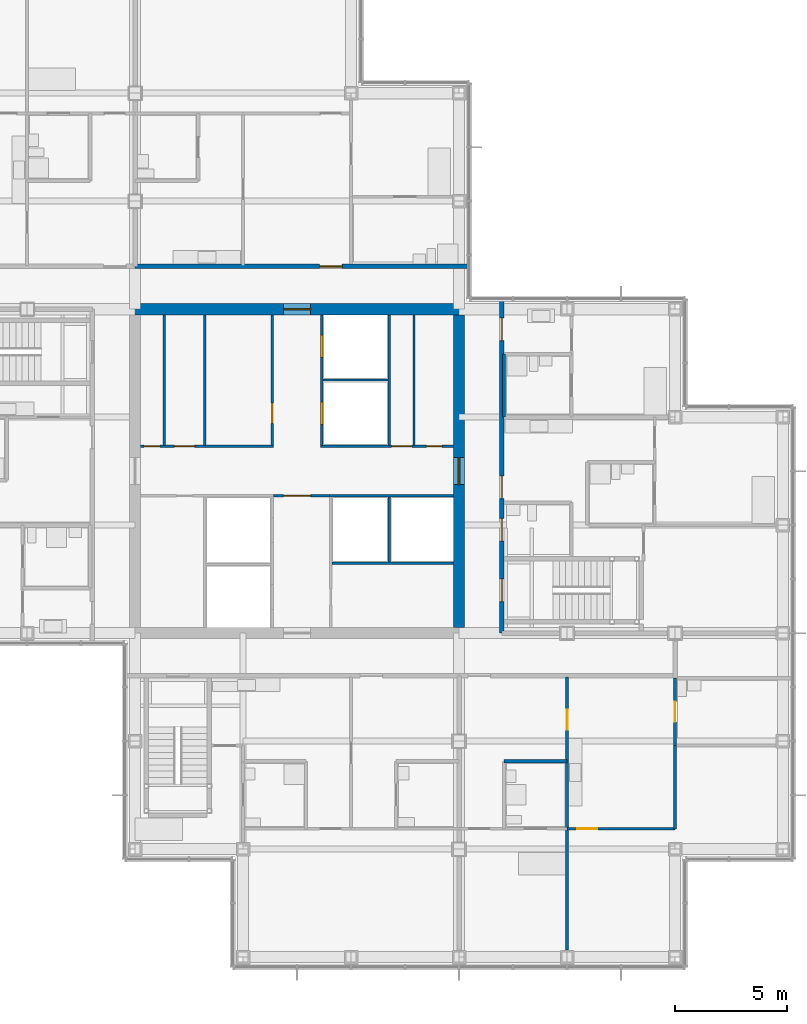
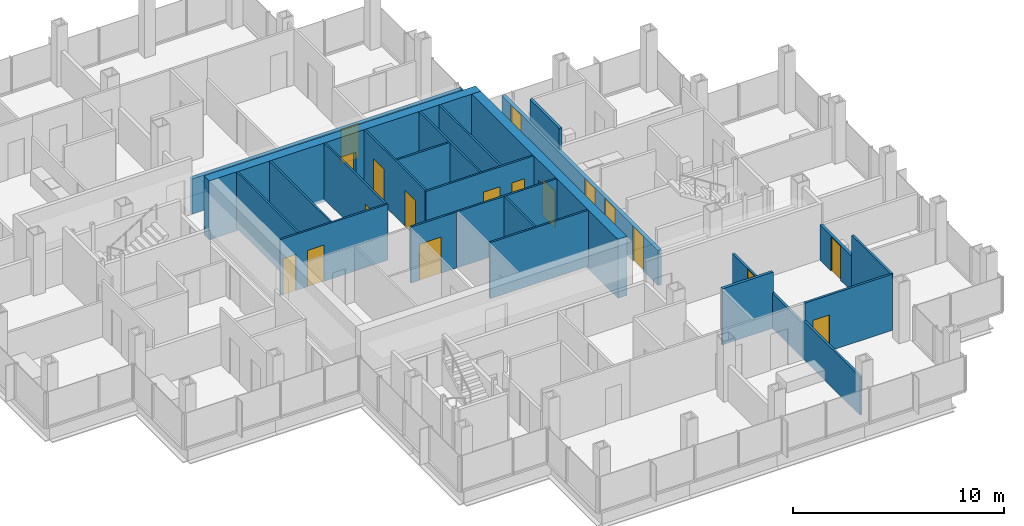
# One storey, part 15 of 20: 24 walls, 18 doors, 18 openings.
"""IFC4 building model written with IfcOpenShell, lengths in metres."""

from ifc_helpers import new_model, si_unit, direction, frame, frame_2d, origin, place, context, subcontext, project, spatial, rectangle, extrude, material, layer, layer_set, type_object, element, fill, save


model = new_model("IFC4")

# Units and contexts
model_context = context("Model", 3, precision=1e-05, world=origin(), true_north=direction((0.0, 1.0)))
body_context = subcontext(model_context, "Body", "Model", "MODEL_VIEW")
ifc_project = project(units=[si_unit("LENGTHUNIT", "METRE"), si_unit("AREAUNIT", "SQUARE_METRE"), si_unit("VOLUMEUNIT", "CUBIC_METRE"), si_unit("PLANEANGLEUNIT", "RADIAN"), si_unit("MASSUNIT", "GRAM", prefix="KILO")], contexts=[model_context])

# Site, building, storey
site_placement = place(None, origin())
site = spatial("IfcSite", under=ifc_project, at=site_placement, CompositionType="ELEMENT")
building_placement = place(site_placement, origin())
building = spatial("IfcBuilding", under=site, at=building_placement, Name="Kvirike Care Tower", CompositionType="ELEMENT")
storey_placement = place(building_placement, frame((0.0, 0.0, 133.0)))
storey = spatial("IfcBuildingStorey", under=building, at=storey_placement, Name="L36", CompositionType="ELEMENT", Elevation=133.0)

# Wall
ifc_material_1 = material(Name="Moisture-resistant board partition", Category="gypsum")
ifc_layer_1 = layer(ifc_material_1, 0.14990234375)
ifc_layer_set_1 = layer_set([ifc_layer_1], Name="BATHROOM WALL 150")
wall_type_1 = type_object("IfcWallType", Name="BATHROOM WALL 150", PredefinedType="PARTITIONING", material=ifc_layer_set_1)
wall_1_placement = place(storey_placement, frame((30.800048828125, 23.10009765625, 0.0), z_axis=(0.0, 0.0, 1.0), x_axis=(1.0, 0.0, 0.0)))
element("IfcWall", 1, at=wall_1_placement, inside=storey, type_object=wall_type_1, Name="Bathroom Wall 150 L36", PredefinedType="PARTITIONING", context=body_context, shape_type="SweptSolid", body=[
    extrude(rectangle(XDim=2.800048828125, YDim=0.14990234375, at=frame_2d((1.39990234375, 0.0))), origin(), (0.0, 0.0, 1.0), 3.25),
])

# Wall, opening, door
wall_2_placement = place(storey_placement, frame((38.39990234375, 23.800048828125, 0.0), z_axis=(0.0, 0.0, 1.0), x_axis=(0.0, 1.0, 0.0)))
wall_2 = element("IfcWall", 2, at=wall_2_placement, inside=storey, type_object=wall_type_1, Name="Bathroom Wall 150 L36", PredefinedType="PARTITIONING", context=body_context, shape_type="SweptSolid", body=[
    extrude(rectangle(XDim=3.0, YDim=0.14990234375, at=frame_2d((1.5, 0.0))), origin(), (0.0, 0.0, 1.0), 2.0400390625),
])
opening_1_placement = place(wall_2_placement, frame((1.050048828125, 0.0, 0.0)))
opening_1 = element("IfcOpeningElement", 3, at=opening_1_placement, cuts=wall_2, Name="Opening 36-029", PredefinedType="OPENING", context=body_context, shape_type="SweptSolid", body=[
    extrude(rectangle(XDim=0.89990234375, YDim=2.0, at=frame_2d((0.449951171875, 1.0))), frame((0.0, 0.08544921875, 0.0), z_axis=(0.0, -1.0, 0.0), x_axis=(1.0, 0.0, 0.0)), (0.0, 0.0, 1.0), 0.1708984375),
])
ifc_material_2 = material(Name="Timber door set", Category="wood")
door_type_1 = type_object("IfcDoorType", Name="BATHROOM DOOR 900 x 2000", OperationType="SINGLE_SWING_RIGHT", PredefinedType="DOOR", material=ifc_material_2)
door_1_placement = place(opening_1_placement, frame((0.89990234375, 0.0, 0.0), z_axis=(0.0, 0.0, 1.0), x_axis=(-1.0, 0.0, 0.0)))
door_1 = element("IfcDoor", 4, at=door_1_placement, inside=storey, type_object=door_type_1, Name="Accessible WC door", OperationType="SINGLE_SWING_LEFT", OverallHeight=2.0, OverallWidth=0.89990234375, PredefinedType="DOOR", context=body_context, shape_type="SweptSolid", body=[
    extrude(rectangle(XDim=0.89990234375, YDim=2.0, at=frame_2d((0.449951171875, 1.0))), frame((0.0, 0.02197265625, 0.0), z_axis=(0.0, -1.0, 0.0), x_axis=(1.0, 0.0, 0.0)), (0.0, 0.0, 1.0), 0.0439453125),
])
fill(opening_1, door_1)

# Wall
wall_3_placement = place(storey_placement, frame((30.800048828125, 38.39990234375, 0.0), z_axis=(0.0, 0.0, 1.0), x_axis=(0.0, 1.0, 0.0)))
element("IfcWall", 5, at=wall_3_placement, inside=storey, type_object=wall_type_1, Name="Bathroom Wall 150 L36", PredefinedType="PARTITIONING", context=body_context, shape_type="SweptSolid", body=[
    extrude(rectangle(XDim=2.800048828125, YDim=0.14990234375, at=frame_2d((1.39990234375, 0.0))), origin(), (0.0, 0.0, 1.0), 3.25),
])

# Wall, opening, door
ifc_material_3 = material(Name="Concrete C50/60", Category="concrete")
ifc_layer_2 = layer(ifc_material_3, 0.5)
ifc_layer_set_2 = layer_set([ifc_layer_2], Name="CORE WALL 500 C50-60")
wall_type_2 = type_object("IfcWallType", Name="CORE WALL 500 C50-60", PredefinedType="SHEAR", material=ifc_layer_set_2)
wall_4_placement = place(storey_placement, frame((29.050048828125, 43.199951171875, -0.169921875), z_axis=(0.0, 0.0, 1.0), x_axis=(-1.0, 0.0, 0.0)))
wall_4 = element("IfcWall", 6, at=wall_4_placement, inside=storey, type_object=wall_type_2, Name="Core wall N L36", PredefinedType="SHEAR", context=body_context, shape_type="SweptSolid", body=[
    extrude(rectangle(XDim=14.900146484375, YDim=0.5, at=frame_2d((7.4501953125, 0.0))), origin(), (0.0, 0.0, 1.0), 3.419921875),
])
opening_2_placement = place(wall_4_placement, frame((6.85009765625, 0.0, 0.169921875)))
opening_2 = element("IfcOpeningElement", 7, at=opening_2_placement, cuts=wall_4, Name="Opening 36-059", PredefinedType="OPENING", context=body_context, shape_type="SweptSolid", body=[
    extrude(rectangle(XDim=1.199951171875, YDim=2.10009765625, at=frame_2d((0.60009765625, 1.050048828125))), frame((0.0, 0.260498046875, 0.0), z_axis=(0.0, -1.0, 0.0), x_axis=(1.0, 0.0, 0.0)), (0.0, 0.0, 1.0), 0.52099609375),
])
ifc_material_4 = material(Name="Timber door set", Category="wood")
door_type_2 = type_object("IfcDoorType", Name="CORE DOOR 1200", OperationType="SINGLE_SWING_LEFT", PredefinedType="DOOR", material=ifc_material_4)
door_2_placement = place(opening_2_placement, origin())
door_2 = element("IfcDoor", 8, at=door_2_placement, inside=storey, type_object=door_type_2, Name="Core door N L36", OperationType="SINGLE_SWING_LEFT", OverallHeight=2.10009765625, OverallWidth=1.199951171875, PredefinedType="DOOR", context=body_context, shape_type="SweptSolid", body=[
    extrude(rectangle(XDim=1.199951171875, YDim=2.10009765625, at=frame_2d((0.60009765625, 1.050048828125))), frame((0.0, 0.02685546875, 0.0), z_axis=(0.0, -1.0, 0.0), x_axis=(1.0, 0.0, 0.0)), (0.0, 0.0, 1.0), 0.053955078125),
])
fill(opening_2, door_2)

wall_5_placement = place(storey_placement, frame((28.800048828125, 29.050048828125, -0.169921875), z_axis=(0.0, 0.0, 1.0), x_axis=(0.0, 1.0, 0.0)))
wall_5 = element("IfcWall", 9, at=wall_5_placement, inside=storey, type_object=wall_type_2, Name="Core wall E L36", PredefinedType="SHEAR", context=body_context, shape_type="SweptSolid", body=[
    extrude(rectangle(XDim=13.89990234375, YDim=0.5, at=frame_2d((6.949951171875, 0.0))), origin(), (0.0, 0.0, 1.0), 3.419921875),
])
opening_3_placement = place(wall_5_placement, frame((6.35009765625, 0.0, 0.169921875)))
opening_3 = element("IfcOpeningElement", 10, at=opening_3_placement, cuts=wall_5, Name="Opening 36-058", PredefinedType="OPENING", context=body_context, shape_type="SweptSolid", body=[
    extrude(rectangle(XDim=1.199951171875, YDim=2.10009765625, at=frame_2d((0.60009765625, 1.050048828125))), frame((0.0, 0.260498046875, 0.0), z_axis=(0.0, -1.0, 0.0), x_axis=(1.0, 0.0, 0.0)), (0.0, 0.0, 1.0), 0.52099609375),
])
door_3_placement = place(opening_3_placement, origin())
door_3 = element("IfcDoor", 11, at=door_3_placement, inside=storey, type_object=door_type_2, Name="Core door E L36", OperationType="SINGLE_SWING_LEFT", OverallHeight=2.10009765625, OverallWidth=1.199951171875, PredefinedType="DOOR", context=body_context, shape_type="SweptSolid", body=[
    extrude(rectangle(XDim=1.199951171875, YDim=2.10009765625, at=frame_2d((0.60009765625, 1.050048828125))), frame((0.0, 0.02685546875, 0.0), z_axis=(0.0, -1.0, 0.0), x_axis=(1.0, 0.0, 0.0)), (0.0, 0.0, 1.0), 0.053955078125),
])
fill(opening_3, door_3)

ifc_material_5 = material(Name="Plasterboard corridor wall", Category="gypsum")
ifc_layer_3 = layer(ifc_material_5, 0.199951171875)
ifc_layer_set_3 = layer_set([ifc_layer_3], Name="CORRIDOR WALL 200")
wall_type_3 = type_object("IfcWallType", Name="CORRIDOR WALL 200", PredefinedType="PARTITIONING", material=ifc_layer_set_3)
wall_6_placement = place(storey_placement, frame((29.239990234375, 45.10009765625, 0.0), z_axis=(0.0, 0.0, 1.0), x_axis=(-1.0, 0.0, 0.0)))
wall_6 = element("IfcWall", 12, at=wall_6_placement, inside=storey, type_object=wall_type_3, Name="Corridor Wall 200 L36", PredefinedType="PARTITIONING", context=body_context, shape_type="SweptSolid", body=[
    extrude(rectangle(XDim=14.840087890625, YDim=0.199951171875, at=frame_2d((7.419921875, 0.0))), origin(), (0.0, 0.0, 1.0), 2.0400390625),
])
opening_4_placement = place(wall_6_placement, frame((5.639892578125, 0.0, 0.0)))
opening_4 = element("IfcOpeningElement", 13, at=opening_4_placement, cuts=wall_6, Name="Opening 36-028", PredefinedType="OPENING", context=body_context, shape_type="SweptSolid", body=[
    extrude(rectangle(XDim=1.0, YDim=2.0, at=frame_2d((0.5, 1.0))), frame((0.0, 0.110595703125, 0.0), z_axis=(0.0, -1.0, 0.0), x_axis=(1.0, 0.0, 0.0)), (0.0, 0.0, 1.0), 0.220947265625),
])
ifc_material_6 = material(Name="Timber door set", Category="wood")
door_type_3 = type_object("IfcDoorType", Name="FLAT ENTRANCE DOOR 1000 x 2000", OperationType="SINGLE_SWING_LEFT", PredefinedType="DOOR", material=ifc_material_6)
door_4_placement = place(opening_4_placement, frame((1.0, 0.0, 0.0), z_axis=(0.0, 0.0, 1.0), x_axis=(-1.0, 0.0, 0.0)))
door_4 = element("IfcDoor", 14, at=door_4_placement, inside=storey, type_object=door_type_3, Name="Assisted living suite for couples entrance", OperationType="SINGLE_SWING_LEFT", OverallHeight=2.0, OverallWidth=1.0, PredefinedType="DOOR", context=body_context, shape_type="SweptSolid", body=[
    extrude(rectangle(XDim=1.0, YDim=2.0, at=frame_2d((0.5, 1.0))), frame((0.0, 0.02685546875, 0.0), z_axis=(0.0, -1.0, 0.0), x_axis=(1.0, 0.0, 0.0)), (0.0, 0.0, 1.0), 0.053955078125),
])
fill(opening_4, door_4)

# Wall, openings, doors
wall_7_placement = place(storey_placement, frame((30.699951171875, 28.800048828125, 0.0), z_axis=(0.0, 0.0, 1.0), x_axis=(0.0, 1.0, 0.0)))
wall_7 = element("IfcWall", 15, at=wall_7_placement, inside=storey, type_object=wall_type_3, Name="Corridor Wall 200 L36", PredefinedType="PARTITIONING", context=body_context, shape_type="SweptSolid", body=[
    extrude(rectangle(XDim=14.83984375, YDim=0.199951171875, at=frame_2d((7.419921875, 0.0))), origin(), (0.0, 0.0, 1.0), 2.0400390625),
])
opening_5_placement = place(wall_7_placement, frame((1.39990234375, 0.0, 0.0)))
opening_5 = element("IfcOpeningElement", 16, at=opening_5_placement, cuts=wall_7, Name="Opening 36-040", PredefinedType="OPENING", context=body_context, shape_type="SweptSolid", body=[
    extrude(rectangle(XDim=1.0, YDim=2.0, at=frame_2d((0.5, 1.0))), frame((0.0, 0.110595703125, 0.0), z_axis=(0.0, -1.0, 0.0), x_axis=(1.0, 0.0, 0.0)), (0.0, 0.0, 1.0), 0.220947265625),
])
opening_6_placement = place(wall_7_placement, frame((4.10009765625, 0.0, 0.0)))
opening_6 = element("IfcOpeningElement", 17, at=opening_6_placement, cuts=wall_7, Name="Opening 36-041", PredefinedType="OPENING", context=body_context, shape_type="SweptSolid", body=[
    extrude(rectangle(XDim=1.0, YDim=2.0, at=frame_2d((0.5, 1.0))), frame((0.0, 0.110595703125, 0.0), z_axis=(0.0, -1.0, 0.0), x_axis=(1.0, 0.0, 0.0)), (0.0, 0.0, 1.0), 0.220947265625),
])
opening_7_placement = place(wall_7_placement, frame((5.97509765625, 0.0, 0.0)))
opening_7 = element("IfcOpeningElement", 18, at=opening_7_placement, cuts=wall_7, Name="Opening 36-042", PredefinedType="OPENING", context=body_context, shape_type="SweptSolid", body=[
    extrude(rectangle(XDim=1.0, YDim=2.0, at=frame_2d((0.5, 1.0))), frame((0.0, 0.110595703125, 0.0), z_axis=(0.0, -1.0, 0.0), x_axis=(1.0, 0.0, 0.0)), (0.0, 0.0, 1.0), 0.220947265625),
])
opening_8_placement = place(wall_7_placement, frame((13.0, 0.0, 0.0)))
opening_8 = element("IfcOpeningElement", 19, at=opening_8_placement, cuts=wall_7, Name="Opening 36-043", PredefinedType="OPENING", context=body_context, shape_type="SweptSolid", body=[
    extrude(rectangle(XDim=1.0, YDim=2.0, at=frame_2d((0.5, 1.0))), frame((0.0, 0.110595703125, 0.0), z_axis=(0.0, -1.0, 0.0), x_axis=(1.0, 0.0, 0.0)), (0.0, 0.0, 1.0), 0.220947265625),
])
door_5_placement = place(opening_7_placement, frame((1.0, 0.0, 0.0), z_axis=(0.0, 0.0, 1.0), x_axis=(-1.0, 0.0, 0.0)))
door_5 = element("IfcDoor", 20, at=door_5_placement, inside=storey, type_object=door_type_3, Name="Assisted living suite entrance", OperationType="SINGLE_SWING_LEFT", OverallHeight=2.0, OverallWidth=1.0, PredefinedType="DOOR", context=body_context, shape_type="SweptSolid", body=[
    extrude(rectangle(XDim=1.0, YDim=2.0, at=frame_2d((0.5, 1.0))), frame((0.0, 0.02685546875, 0.0), z_axis=(0.0, -1.0, 0.0), x_axis=(1.0, 0.0, 0.0)), (0.0, 0.0, 1.0), 0.053955078125),
])
fill(opening_7, door_5)
door_6_placement = place(opening_8_placement, frame((1.0, 0.0, 0.0), z_axis=(0.0, 0.0, 1.0), x_axis=(-1.0, 0.0, 0.0)))
door_6 = element("IfcDoor", 21, at=door_6_placement, inside=storey, type_object=door_type_3, Name="Assisted living suite entrance", OperationType="SINGLE_SWING_RIGHT", OverallHeight=2.0, OverallWidth=1.0, PredefinedType="DOOR", context=body_context, shape_type="SweptSolid", body=[
    extrude(rectangle(XDim=1.0, YDim=2.0, at=frame_2d((0.5, 1.0))), frame((0.0, 0.02685546875, 0.0), z_axis=(0.0, -1.0, 0.0), x_axis=(1.0, 0.0, 0.0)), (0.0, 0.0, 1.0), 0.053955078125),
])
fill(opening_8, door_6)
ifc_material_7 = material(Name="Timber door set", Category="wood")
door_type_4 = type_object("IfcDoorType", Name="STAIR DOOR 1000 x 2000", OperationType="SINGLE_SWING_LEFT", PredefinedType="DOOR", material=ifc_material_7)
door_7_placement = place(opening_5_placement, frame((1.0, 0.0, 0.0), z_axis=(0.0, 0.0, 1.0), x_axis=(-1.0, 0.0, 0.0)))
door_7 = element("IfcDoor", 22, at=door_7_placement, inside=storey, type_object=door_type_4, Name="Stair 2 door", OperationType="SINGLE_SWING_RIGHT", OverallHeight=2.0, OverallWidth=1.0, PredefinedType="DOOR", context=body_context, shape_type="SweptSolid", body=[
    extrude(rectangle(XDim=1.0, YDim=2.0, at=frame_2d((0.5, 1.0))), frame((0.0, 0.031982421875, 0.0), z_axis=(0.0, -1.0, 0.0), x_axis=(1.0, 0.0, 0.0)), (0.0, 0.0, 1.0), 0.06396484375),
])
fill(opening_5, door_7)
ifc_material_8 = material(Name="Timber door set", Category="wood")
door_type_5 = type_object("IfcDoorType", Name="WC DOOR 1000 x 2000", OperationType="SINGLE_SWING_LEFT", PredefinedType="DOOR", material=ifc_material_8)
door_8_placement = place(opening_6_placement, frame((1.0, 0.0, 0.0), z_axis=(0.0, 0.0, 1.0), x_axis=(-1.0, 0.0, 0.0)))
door_8 = element("IfcDoor", 23, at=door_8_placement, inside=storey, type_object=door_type_5, Name="Accessible WC door", OperationType="SINGLE_SWING_LEFT", OverallHeight=2.0, OverallWidth=1.0, PredefinedType="DOOR", context=body_context, shape_type="SweptSolid", body=[
    extrude(rectangle(XDim=1.0, YDim=2.0, at=frame_2d((0.5, 1.0))), frame((0.0, 0.02685546875, 0.0), z_axis=(0.0, -1.0, 0.0), x_axis=(1.0, 0.0, 0.0)), (0.0, 0.0, 1.0), 0.053955078125),
])
fill(opening_6, door_8)

# Wall, opening, door
ifc_material_9 = material(Name="Plasterboard partition", Category="gypsum")
ifc_layer_4 = layer(ifc_material_9, 0.1201171875)
ifc_layer_set_4 = layer_set([ifc_layer_4], Name="PARTITION 120")
wall_type_4 = type_object("IfcWallType", Name="PARTITION 120", PredefinedType="PARTITIONING", material=ifc_layer_set_4)
wall_8_placement = place(storey_placement, frame((33.60009765625, 20.10009765625, 0.0), z_axis=(0.0, 0.0, 1.0), x_axis=(0.0, 1.0, 0.0)))
wall_8 = element("IfcWall", 24, at=wall_8_placement, inside=storey, type_object=wall_type_4, Name="Partition 120 L36", PredefinedType="PARTITIONING", context=body_context, shape_type="SweptSolid", body=[
    extrude(rectangle(XDim=6.75, YDim=0.1201171875, at=frame_2d((3.375, 0.0))), origin(), (0.0, 0.0, 1.0), 2.0400390625),
])
opening_9_placement = place(wall_8_placement, frame((4.39990234375, 0.0, 0.0)))
opening_9 = element("IfcOpeningElement", 25, at=opening_9_placement, cuts=wall_8, Name="Opening 36-030", PredefinedType="OPENING", context=body_context, shape_type="SweptSolid", body=[
    extrude(rectangle(XDim=0.89990234375, YDim=2.0, at=frame_2d((0.449951171875, 1.0))), frame((0.0, 0.070556640625, 0.0), z_axis=(0.0, -1.0, 0.0), x_axis=(1.0, 0.0, 0.0)), (0.0, 0.0, 1.0), 0.14111328125),
])
ifc_material_10 = material(Name="Timber door set", Category="wood")
door_type_6 = type_object("IfcDoorType", Name="INTERNAL DOOR 900 x 2000", OperationType="SINGLE_SWING_LEFT", PredefinedType="DOOR", material=ifc_material_10)
door_9_placement = place(opening_9_placement, origin())
door_9 = element("IfcDoor", 26, at=door_9_placement, inside=storey, type_object=door_type_6, Name="Hall door", OperationType="SINGLE_SWING_RIGHT", OverallHeight=2.0, OverallWidth=0.89990234375, PredefinedType="DOOR", context=body_context, shape_type="SweptSolid", body=[
    extrude(rectangle(XDim=0.89990234375, YDim=2.0, at=frame_2d((0.449951171875, 1.0))), frame((0.0, 0.02197265625, 0.0), z_axis=(0.0, -1.0, 0.0), x_axis=(1.0, 0.0, 0.0)), (0.0, 0.0, 1.0), 0.0439453125),
])
fill(opening_9, door_9)

wall_9_placement = place(storey_placement, frame((33.60009765625, 20.10009765625, 0.0), z_axis=(0.0, 0.0, 1.0), x_axis=(1.0, 0.0, 0.0)))
wall_9 = element("IfcWall", 27, at=wall_9_placement, inside=storey, type_object=wall_type_4, Name="Partition 120 L36", PredefinedType="PARTITIONING", context=body_context, shape_type="SweptSolid", body=[
    extrude(rectangle(XDim=4.7998046875, YDim=0.1201171875, at=frame_2d((2.39990234375, 0.0))), origin(), (0.0, 0.0, 1.0), 3.25),
])
opening_10_placement = place(wall_9_placement, frame((0.449951171875, 0.0, 0.0)))
opening_10 = element("IfcOpeningElement", 28, at=opening_10_placement, cuts=wall_9, Name="Opening 36-033", PredefinedType="OPENING", context=body_context, shape_type="SweptSolid", body=[
    extrude(rectangle(XDim=0.89990234375, YDim=2.10009765625, at=frame_2d((0.449951171875, 1.050048828125))), frame((0.0, 0.070556640625, 0.0), z_axis=(0.0, -1.0, 0.0), x_axis=(1.0, 0.0, 0.0)), (0.0, 0.0, 1.0), 0.14111328125),
])
ifc_material_11 = material(Name="Timber door set", Category="wood")
door_type_7 = type_object("IfcDoorType", Name="INTERNAL DOOR 900", OperationType="SINGLE_SWING_LEFT", PredefinedType="DOOR", material=ifc_material_11)
door_10_placement = place(opening_10_placement, origin())
door_10 = element("IfcDoor", 29, at=door_10_placement, inside=storey, type_object=door_type_7, Name="Suite sitting room door", OperationType="SINGLE_SWING_RIGHT", OverallHeight=2.10009765625, OverallWidth=0.89990234375, PredefinedType="DOOR", context=body_context, shape_type="SweptSolid", body=[
    extrude(rectangle(XDim=0.89990234375, YDim=2.10009765625, at=frame_2d((0.449951171875, 1.050048828125))), frame((0.0, 0.02197265625, 0.0), z_axis=(0.0, -1.0, 0.0), x_axis=(1.0, 0.0, 0.0)), (0.0, 0.0, 1.0), 0.0439453125),
])
fill(opening_10, door_10)

# Walls
wall_10_placement = place(storey_placement, frame((33.60009765625, 14.719970703125, 0.0), z_axis=(0.0, 0.0, 1.0), x_axis=(0.0, 1.0, 0.0)))
element("IfcWall", 30, at=wall_10_placement, inside=storey, type_object=wall_type_4, Name="Partition 120 L36", PredefinedType="PARTITIONING", context=body_context, shape_type="SweptSolid", body=[
    extrude(rectangle(XDim=5.380126953125, YDim=0.1201171875, at=frame_2d((2.68994140625, 0.0))), origin(), (0.0, 0.0, 1.0), 2.239990234375),
])
wall_11_placement = place(storey_placement, frame((38.39990234375, 20.10009765625, 0.0), z_axis=(0.0, 0.0, 1.0), x_axis=(0.0, 1.0, 0.0)))
element("IfcWall", 31, at=wall_11_placement, inside=storey, type_object=wall_type_4, Name="Partition 120 L36", PredefinedType="PARTITIONING", context=body_context, shape_type="SweptSolid", body=[
    extrude(rectangle(XDim=3.699951171875, YDim=0.1201171875, at=frame_2d((1.85009765625, 0.0))), origin(), (0.0, 0.0, 1.0), 3.25),
])
ifc_material_12 = material(Name="Gypsum shaft wall system", Category="gypsum")
ifc_layer_5 = layer(ifc_material_12, 0.10009765625)
ifc_layer_set_5 = layer_set([ifc_layer_5], Name="SHAFT WALL 100")
wall_type_5 = type_object("IfcWallType", Name="SHAFT WALL 100", PredefinedType="SOLIDWALL", material=ifc_layer_set_5)
for number, where, z_axis, x_axis, name in (
    (32, (15.699951171875, 37.14990234375, 0.0), (0.0, 0.0, 1.0), (0.0, 1.0, 0.0), "Shaft Wall 100 L36"),
    (33, (26.800048828125, 37.14990234375, 0.0), (0.0, 0.0, 1.0), (0.0, 1.0, 0.0), "Shaft Wall 100 L36"),
):
    element("IfcWall", number, at=place(storey_placement, frame(where, z_axis=z_axis, x_axis=x_axis)), inside=storey, type_object=wall_type_5, Name=name, PredefinedType="SOLIDWALL", context=body_context, shape_type="SweptSolid", body=[
        extrude(rectangle(XDim=5.800048828125, YDim=0.10009765625, at=frame_2d((2.89990234375, 0.0))), origin(), (0.0, 0.0, 1.0), 3.25),
    ])

# Wall, opening, door
wall_12_placement = place(storey_placement, frame((20.5, 37.14990234375, 0.0), z_axis=(0.0, 0.0, 1.0), x_axis=(0.0, 1.0, 0.0)))
wall_12 = element("IfcWall", 34, at=wall_12_placement, inside=storey, type_object=wall_type_5, Name="Shaft Wall 100 L36", PredefinedType="SOLIDWALL", context=body_context, shape_type="SweptSolid", body=[
    extrude(rectangle(XDim=5.800048828125, YDim=0.10009765625, at=frame_2d((2.89990234375, 0.0))), origin(), (0.0, 0.0, 1.0), 3.25),
])
opening_11_placement = place(wall_12_placement, frame((0.97509765625, 0.0, 0.0)))
opening_11 = element("IfcOpeningElement", 35, at=opening_11_placement, cuts=wall_12, Name="Opening 36-046", PredefinedType="OPENING", context=body_context, shape_type="SweptSolid", body=[
    extrude(rectangle(XDim=0.89990234375, YDim=2.10009765625, at=frame_2d((0.449951171875, 1.050048828125))), frame((0.0, 0.060546875, 0.0), z_axis=(0.0, -1.0, 0.0), x_axis=(1.0, 0.0, 0.0)), (0.0, 0.0, 1.0), 0.12109375),
])
ifc_material_13 = material(Name="Timber door set", Category="wood")
door_type_8 = type_object("IfcDoorType", Name="STORE DOOR 900", OperationType="SINGLE_SWING_LEFT", PredefinedType="DOOR", material=ifc_material_13)
door_11_placement = place(opening_11_placement, origin())
door_11 = element("IfcDoor", 36, at=door_11_placement, inside=storey, type_object=door_type_8, Name="Staff room door", OperationType="SINGLE_SWING_RIGHT", OverallHeight=2.10009765625, OverallWidth=0.89990234375, PredefinedType="DOOR", context=body_context, shape_type="SweptSolid", body=[
    extrude(rectangle(XDim=0.89990234375, YDim=2.10009765625, at=frame_2d((0.449951171875, 1.050048828125))), frame((0.0, 0.02685546875, 0.0), z_axis=(0.0, -1.0, 0.0), x_axis=(1.0, 0.0, 0.0)), (0.0, 0.0, 1.0), 0.053955078125),
])
fill(opening_11, door_11)

# Wall, openings, doors
wall_13_placement = place(storey_placement, frame((22.699951171875, 37.14990234375, 0.0), z_axis=(0.0, 0.0, 1.0), x_axis=(0.0, 1.0, 0.0)))
wall_13 = element("IfcWall", 37, at=wall_13_placement, inside=storey, type_object=wall_type_5, Name="Shaft Wall 100 L36", PredefinedType="SOLIDWALL", context=body_context, shape_type="SweptSolid", body=[
    extrude(rectangle(XDim=5.800048828125, YDim=0.10009765625, at=frame_2d((2.89990234375, 0.0))), origin(), (0.0, 0.0, 1.0), 3.25),
])
opening_12_placement = place(wall_13_placement, frame((0.925048828125, 0.0, 0.0)))
opening_12 = element("IfcOpeningElement", 38, at=opening_12_placement, cuts=wall_13, Name="Opening 36-047", PredefinedType="OPENING", context=body_context, shape_type="SweptSolid", body=[
    extrude(rectangle(XDim=1.0, YDim=2.10009765625, at=frame_2d((0.5, 1.050048828125))), frame((0.0, 0.060546875, 0.0), z_axis=(0.0, -1.0, 0.0), x_axis=(1.0, 0.0, 0.0)), (0.0, 0.0, 1.0), 0.12109375),
])
opening_13_placement = place(wall_13_placement, frame((3.89990234375, 0.0, 0.0)))
opening_13 = element("IfcOpeningElement", 39, at=opening_13_placement, cuts=wall_13, Name="Opening 36-048", PredefinedType="OPENING", context=body_context, shape_type="SweptSolid", body=[
    extrude(rectangle(XDim=1.0, YDim=2.10009765625, at=frame_2d((0.5, 1.050048828125))), frame((0.0, 0.060546875, 0.0), z_axis=(0.0, -1.0, 0.0), x_axis=(1.0, 0.0, 0.0)), (0.0, 0.0, 1.0), 0.12109375),
])
ifc_material_14 = material(Name="Aluminium door frame", Category="aluminium")
door_type_9 = type_object("IfcDoorType", Name="LIFT LANDING DOOR 1000", OperationType="SLIDING_TO_LEFT", PredefinedType="DOOR", material=ifc_material_14)
door_12_placement = place(opening_12_placement, origin())
door_12 = element("IfcDoor", 40, at=door_12_placement, inside=storey, type_object=door_type_9, Name="Lift P3 landing door", OperationType="SLIDING_TO_LEFT", OverallHeight=2.10009765625, OverallWidth=1.0, PredefinedType="DOOR", context=body_context, shape_type="SweptSolid", body=[
    extrude(rectangle(XDim=1.0, YDim=2.10009765625, at=frame_2d((0.5, 1.050048828125))), frame((0.0, 0.0498046875, 0.0), z_axis=(0.0, -1.0, 0.0), x_axis=(1.0, 0.0, 0.0)), (0.0, 0.0, 1.0), 0.099609375),
])
fill(opening_12, door_12)
door_13_placement = place(opening_13_placement, origin())
door_13 = element("IfcDoor", 41, at=door_13_placement, inside=storey, type_object=door_type_9, Name="Lift P4 landing door", OperationType="SLIDING_TO_LEFT", OverallHeight=2.10009765625, OverallWidth=1.0, PredefinedType="DOOR", context=body_context, shape_type="SweptSolid", body=[
    extrude(rectangle(XDim=1.0, YDim=2.10009765625, at=frame_2d((0.5, 1.050048828125))), frame((0.0, 0.0498046875, 0.0), z_axis=(0.0, -1.0, 0.0), x_axis=(1.0, 0.0, 0.0)), (0.0, 0.0, 1.0), 0.099609375),
])
fill(opening_13, door_13)

# Wall
wall_14_placement = place(storey_placement, frame((23.050048828125, 34.89990234375, 0.0), z_axis=(0.0, 0.0, 1.0), x_axis=(1.0, 0.0, 0.0)))
element("IfcWall", 42, at=wall_14_placement, inside=storey, type_object=wall_type_5, Name="Shaft Wall 100 L36", PredefinedType="SOLIDWALL", context=body_context, shape_type="SweptSolid", body=[
    extrude(rectangle(XDim=5.5, YDim=0.10009765625, at=frame_2d((2.75, 0.0))), origin(), (0.0, 0.0, 1.0), 3.25),
])

# Wall, openings, doors
wall_15_placement = place(storey_placement, frame((14.64990234375, 37.10009765625, 0.0), z_axis=(0.0, 0.0, 1.0), x_axis=(1.0, 0.0, 0.0)))
wall_15 = element("IfcWall", 43, at=wall_15_placement, inside=storey, type_object=wall_type_5, Name="Shaft Wall 100 L36", PredefinedType="SOLIDWALL", context=body_context, shape_type="SweptSolid", body=[
    extrude(rectangle(XDim=5.900146484375, YDim=0.10009765625, at=frame_2d((2.9501953125, 0.0))), origin(), (0.0, 0.0, 1.0), 3.25),
])
opening_14_placement = place(wall_15_placement, frame((0.14990234375, 0.0, 0.0)))
opening_14 = element("IfcOpeningElement", 44, at=opening_14_placement, cuts=wall_15, Name="Opening 36-051", PredefinedType="OPENING", context=body_context, shape_type="SweptSolid", body=[
    extrude(rectangle(XDim=0.699951171875, YDim=2.10009765625, at=frame_2d((0.35009765625, 1.050048828125))), frame((0.0, 0.060546875, 0.0), z_axis=(0.0, -1.0, 0.0), x_axis=(1.0, 0.0, 0.0)), (0.0, 0.0, 1.0), 0.12109375),
])
opening_15_placement = place(wall_15_placement, frame((1.5, 0.0, 0.0)))
opening_15 = element("IfcOpeningElement", 45, at=opening_15_placement, cuts=wall_15, Name="Opening 36-052", PredefinedType="OPENING", context=body_context, shape_type="SweptSolid", body=[
    extrude(rectangle(XDim=0.89990234375, YDim=2.10009765625, at=frame_2d((0.449951171875, 1.050048828125))), frame((0.0, 0.060546875, 0.0), z_axis=(0.0, -1.0, 0.0), x_axis=(1.0, 0.0, 0.0)), (0.0, 0.0, 1.0), 0.12109375),
])
ifc_material_15 = material(Name="Timber door set", Category="wood")
door_type_10 = type_object("IfcDoorType", Name="RISER DOOR 700", OperationType="SINGLE_SWING_LEFT", PredefinedType="DOOR", material=ifc_material_15)
door_14_placement = place(opening_14_placement, origin())
door_14 = element("IfcDoor", 46, at=door_14_placement, inside=storey, type_object=door_type_10, Name="Riser door", OperationType="SINGLE_SWING_LEFT", OverallHeight=2.10009765625, OverallWidth=0.699951171875, PredefinedType="DOOR", context=body_context, shape_type="SweptSolid", body=[
    extrude(rectangle(XDim=0.699951171875, YDim=2.10009765625, at=frame_2d((0.35009765625, 1.050048828125))), frame((0.0, 0.02685546875, 0.0), z_axis=(0.0, -1.0, 0.0), x_axis=(1.0, 0.0, 0.0)), (0.0, 0.0, 1.0), 0.053955078125),
])
fill(opening_14, door_14)
door_15_placement = place(opening_15_placement, origin())
door_15 = element("IfcDoor", 47, at=door_15_placement, inside=storey, type_object=door_type_8, Name="Linen store door", OperationType="SINGLE_SWING_LEFT", OverallHeight=2.10009765625, OverallWidth=0.89990234375, PredefinedType="DOOR", context=body_context, shape_type="SweptSolid", body=[
    extrude(rectangle(XDim=0.89990234375, YDim=2.10009765625, at=frame_2d((0.449951171875, 1.050048828125))), frame((0.0, 0.02685546875, 0.0), z_axis=(0.0, -1.0, 0.0), x_axis=(1.0, 0.0, 0.0)), (0.0, 0.0, 1.0), 0.053955078125),
])
fill(opening_15, door_15)

wall_16_placement = place(storey_placement, frame((22.64990234375, 37.10009765625, 0.0), z_axis=(0.0, 0.0, 1.0), x_axis=(1.0, 0.0, 0.0)))
wall_16 = element("IfcWall", 48, at=wall_16_placement, inside=storey, type_object=wall_type_5, Name="Shaft Wall 100 L36", PredefinedType="SOLIDWALL", context=body_context, shape_type="SweptSolid", body=[
    extrude(rectangle(XDim=5.900146484375, YDim=0.10009765625, at=frame_2d((2.9501953125, 0.0))), origin(), (0.0, 0.0, 1.0), 3.25),
])
opening_16_placement = place(wall_16_placement, frame((3.14990234375, 0.0, 0.0)))
opening_16 = element("IfcOpeningElement", 49, at=opening_16_placement, cuts=wall_16, Name="Opening 36-053", PredefinedType="OPENING", context=body_context, shape_type="SweptSolid", body=[
    extrude(rectangle(XDim=0.89990234375, YDim=2.10009765625, at=frame_2d((0.449951171875, 1.050048828125))), frame((0.0, 0.060546875, 0.0), z_axis=(0.0, -1.0, 0.0), x_axis=(1.0, 0.0, 0.0)), (0.0, 0.0, 1.0), 0.12109375),
])
opening_17_placement = place(wall_16_placement, frame((4.699951171875, 0.0, 0.0)))
opening_17 = element("IfcOpeningElement", 50, at=opening_17_placement, cuts=wall_16, Name="Opening 36-054", PredefinedType="OPENING", context=body_context, shape_type="SweptSolid", body=[
    extrude(rectangle(XDim=0.699951171875, YDim=2.10009765625, at=frame_2d((0.35009765625, 1.050048828125))), frame((0.0, 0.060546875, 0.0), z_axis=(0.0, -1.0, 0.0), x_axis=(1.0, 0.0, 0.0)), (0.0, 0.0, 1.0), 0.12109375),
])
door_16_placement = place(opening_17_placement, origin())
door_16 = element("IfcDoor", 51, at=door_16_placement, inside=storey, type_object=door_type_10, Name="Riser door", OperationType="SINGLE_SWING_LEFT", OverallHeight=2.10009765625, OverallWidth=0.699951171875, PredefinedType="DOOR", context=body_context, shape_type="SweptSolid", body=[
    extrude(rectangle(XDim=0.699951171875, YDim=2.10009765625, at=frame_2d((0.35009765625, 1.050048828125))), frame((0.0, 0.02685546875, 0.0), z_axis=(0.0, -1.0, 0.0), x_axis=(1.0, 0.0, 0.0)), (0.0, 0.0, 1.0), 0.053955078125),
])
fill(opening_17, door_16)
door_17_placement = place(opening_16_placement, origin())
door_17 = element("IfcDoor", 52, at=door_17_placement, inside=storey, type_object=door_type_8, Name="IT room door", OperationType="SINGLE_SWING_RIGHT", OverallHeight=2.10009765625, OverallWidth=0.89990234375, PredefinedType="DOOR", context=body_context, shape_type="SweptSolid", body=[
    extrude(rectangle(XDim=0.89990234375, YDim=2.10009765625, at=frame_2d((0.449951171875, 1.050048828125))), frame((0.0, 0.02685546875, 0.0), z_axis=(0.0, -1.0, 0.0), x_axis=(1.0, 0.0, 0.0)), (0.0, 0.0, 1.0), 0.053955078125),
])
fill(opening_16, door_17)

# Wall, opening, door
wall_17_placement = place(storey_placement, frame((20.550048828125, 34.89990234375, 0.0), z_axis=(0.0, 0.0, 1.0), x_axis=(1.0, 0.0, 0.0)))
wall_17 = element("IfcWall", 53, at=wall_17_placement, inside=storey, type_object=wall_type_5, Name="Shaft Wall 100 L36", PredefinedType="SOLIDWALL", context=body_context, shape_type="SweptSolid", body=[
    extrude(rectangle(XDim=2.5, YDim=0.10009765625, at=frame_2d((1.25, 0.0))), origin(), (0.0, 0.0, 1.0), 3.25),
])
opening_18_placement = place(wall_17_placement, frame((0.449951171875, 0.0, 0.0)))
opening_18 = element("IfcOpeningElement", 54, at=opening_18_placement, cuts=wall_17, Name="Opening 36-055", PredefinedType="OPENING", context=body_context, shape_type="SweptSolid", body=[
    extrude(rectangle(XDim=1.199951171875, YDim=2.10009765625, at=frame_2d((0.60009765625, 1.050048828125))), frame((0.0, 0.060546875, 0.0), z_axis=(0.0, -1.0, 0.0), x_axis=(1.0, 0.0, 0.0)), (0.0, 0.0, 1.0), 0.12109375),
])
door_18_placement = place(opening_18_placement, frame((1.199951171875, 0.0, 0.0), z_axis=(0.0, 0.0, 1.0), x_axis=(-1.0, 0.0, 0.0)))
door_18 = element("IfcDoor", 55, at=door_18_placement, inside=storey, type_object=door_type_2, Name="Fire-fighting lobby door", OperationType="SINGLE_SWING_LEFT", OverallHeight=2.10009765625, OverallWidth=1.199951171875, PredefinedType="DOOR", context=body_context, shape_type="SweptSolid", body=[
    extrude(rectangle(XDim=1.199951171875, YDim=2.10009765625, at=frame_2d((0.60009765625, 1.050048828125))), frame((0.0, 0.02685546875, 0.0), z_axis=(0.0, -1.0, 0.0), x_axis=(1.0, 0.0, 0.0)), (0.0, 0.0, 1.0), 0.053955078125),
])
fill(opening_18, door_18)

# Walls
wall_18_placement = place(storey_placement, frame((17.5, 37.14990234375, 0.0), z_axis=(0.0, 0.0, 1.0), x_axis=(0.0, 1.0, 0.0)))
element("IfcWall", 56, at=wall_18_placement, inside=storey, type_object=wall_type_5, Name="Shaft Wall 100 L36", PredefinedType="SOLIDWALL", context=body_context, shape_type="SweptSolid", body=[
    extrude(rectangle(XDim=5.800048828125, YDim=0.10009765625, at=frame_2d((2.89990234375, 0.0))), origin(), (0.0, 0.0, 1.0), 3.25),
])
wall_19_placement = place(storey_placement, frame((22.75, 40.050048828125, 0.0), z_axis=(0.0, 0.0, 1.0), x_axis=(1.0, 0.0, 0.0)))
element("IfcWall", 57, at=wall_19_placement, inside=storey, type_object=wall_type_5, Name="Shaft Wall 100 L36", PredefinedType="SOLIDWALL", context=body_context, shape_type="SweptSolid", body=[
    extrude(rectangle(XDim=2.89990234375, YDim=0.10009765625, at=frame_2d((1.449951171875, 0.0))), origin(), (0.0, 0.0, 1.0), 3.25),
])
wall_20_placement = place(storey_placement, frame((25.699951171875, 37.14990234375, 0.0), z_axis=(0.0, 0.0, 1.0), x_axis=(0.0, 1.0, 0.0)))
element("IfcWall", 58, at=wall_20_placement, inside=storey, type_object=wall_type_5, Name="Shaft Wall 100 L36", PredefinedType="SOLIDWALL", context=body_context, shape_type="SweptSolid", body=[
    extrude(rectangle(XDim=5.800048828125, YDim=0.10009765625, at=frame_2d((2.89990234375, 0.0))), origin(), (0.0, 0.0, 1.0), 3.25),
])
wall_21_placement = place(storey_placement, frame((25.699951171875, 31.949951171875, 0.0), z_axis=(0.0, 0.0, 1.0), x_axis=(0.0, 1.0, 0.0)))
element("IfcWall", 59, at=wall_21_placement, inside=storey, type_object=wall_type_5, Name="Shaft Wall 100 L36", PredefinedType="SOLIDWALL", context=body_context, shape_type="SweptSolid", body=[
    extrude(rectangle(XDim=2.900146484375, YDim=0.10009765625, at=frame_2d((1.4501953125, 0.0))), origin(), (0.0, 0.0, 1.0), 3.25),
])
wall_22_placement = place(storey_placement, frame((23.14990234375, 31.89990234375, 0.0), z_axis=(0.0, 0.0, 1.0), x_axis=(1.0, 0.0, 0.0)))
element("IfcWall", 60, at=wall_22_placement, inside=storey, type_object=wall_type_5, Name="Shaft Wall 100 L36", PredefinedType="SOLIDWALL", context=body_context, shape_type="SweptSolid", body=[
    extrude(rectangle(XDim=5.400146484375, YDim=0.10009765625, at=frame_2d((2.7001953125, 0.0))), origin(), (0.0, 0.0, 1.0), 3.25),
])

save(model, "model.ifc")
